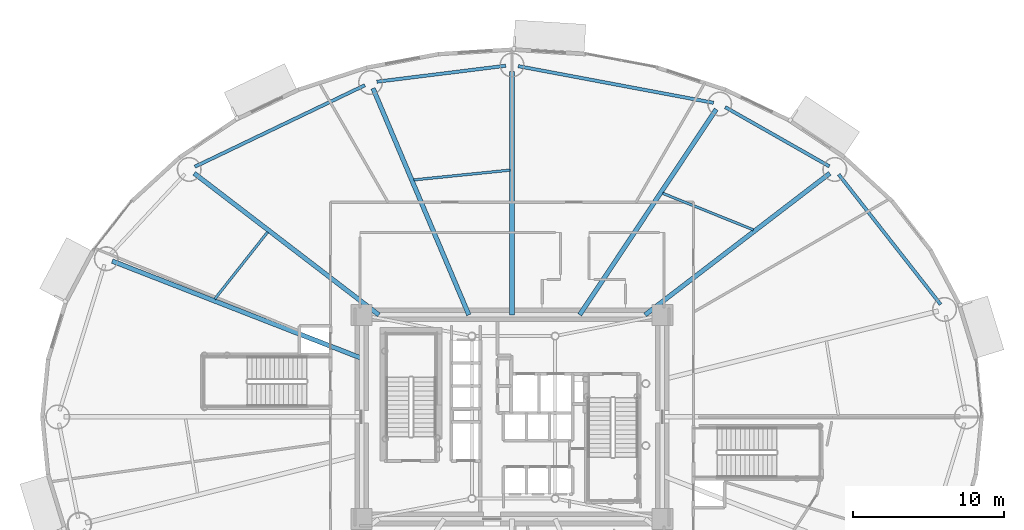
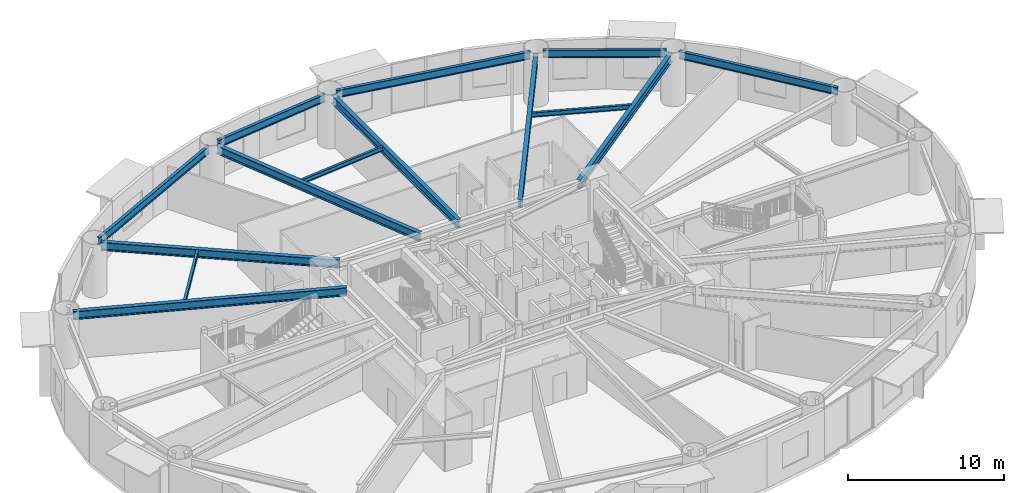
# One storey, part 10 of 29: 14 beams.
"""IFC4 building model written with IfcOpenShell, lengths in metres."""

from ifc_helpers import new_model, si_unit, direction, frame, origin, origin_2d, place, context, subcontext, project, spatial, i_section, extrude, material, material_profile, profile_set, type_object, element, save


model = new_model("IFC4")

# Units and contexts
model_context = context("Model", 3, precision=1e-05, world=origin(), true_north=direction((0.0, 1.0)))
body_context = subcontext(model_context, "Body", "Model", "MODEL_VIEW")
ifc_project = project(units=[si_unit("LENGTHUNIT", "METRE"), si_unit("AREAUNIT", "SQUARE_METRE"), si_unit("VOLUMEUNIT", "CUBIC_METRE"), si_unit("PLANEANGLEUNIT", "RADIAN"), si_unit("MASSUNIT", "GRAM", prefix="KILO")], contexts=[model_context])

# Site, building, storey
site_placement = place(None, origin())
site = spatial("IfcSite", under=ifc_project, at=site_placement, CompositionType="ELEMENT")
building_placement = place(site_placement, origin())
building = spatial("IfcBuilding", under=site, at=building_placement, Name="Linh Dai School and Residence Tower", CompositionType="ELEMENT")
storey_placement = place(building_placement, frame((0.0, 0.0, 45.0)))
storey = spatial("IfcBuildingStorey", under=building, at=storey_placement, Name="L10", CompositionType="ELEMENT", Elevation=45.0)

# Beams
ifc_material = material(Name="Structural Steel S355JR", Category="steel")
ifc_material_profile_1 = material_profile(ifc_material, i_section(OverallWidth=0.219970703125, OverallDepth=0.60009765625, WebThickness=0.011962890625, FlangeThickness=0.01904296875, FilletRadius=0.02392578125, at=origin_2d()), Name="IPE 600")
ifc_profile_set_1 = profile_set([ifc_material_profile_1], Name="Structural Steel S355JR")
beam_type_1 = type_object("IfcBeamType", Name="BM-RB60", PredefinedType="BEAM", material=ifc_profile_set_1)
beam_1_placement = place(storey_placement, frame((64.351806640625, 34.439208984375, 3.64990234375), z_axis=(-0.616878670407, 0.787058260866, 0.0), x_axis=(-0.787058260866, -0.616878670407, 0.0)))
element("IfcBeam", 1, at=beam_1_placement, inside=storey, type_object=beam_type_1, Name="L10 Perimeter Elliptical Ring Beam 02", PredefinedType="BEAM", context=body_context, shape_type="SweptSolid", body=[
    extrude(i_section(OverallWidth=0.219970703125, OverallDepth=0.60009765625, WebThickness=0.011962890625, FlangeThickness=0.01904296875, FilletRadius=0.02392578125, at=origin_2d()), origin(), (0.0, 0.0, 1.0), 10.926025390625),
])
beam_2_placement = place(storey_placement, frame((56.987548828125, 43.57666015625, 3.64990234375), z_axis=(-0.869271416992, 0.494335112653, 0.0), x_axis=(-0.494335112653, -0.869271416992, 0.0)))
element("IfcBeam", 2, at=beam_2_placement, inside=storey, type_object=beam_type_1, Name="L10 Perimeter Elliptical Ring Beam 03", PredefinedType="BEAM", context=body_context, shape_type="SweptSolid", body=[
    extrude(i_section(OverallWidth=0.219970703125, OverallDepth=0.60009765625, WebThickness=0.011962890625, FlangeThickness=0.01904296875, FilletRadius=0.02392578125, at=origin_2d()), origin(), (0.0, 0.0, 1.0), 7.91943359375),
])
beam_3_placement = place(storey_placement, frame((49.32568359375, 47.776611328125, 3.64990234375), z_axis=(-0.982808389171, 0.184628465236, 0.0), x_axis=(-0.184628465236, -0.982808389171, 0.0)))
element("IfcBeam", 3, at=beam_3_placement, inside=storey, type_object=beam_type_1, Name="L10 Perimeter Elliptical Ring Beam 04", PredefinedType="BEAM", context=body_context, shape_type="SweptSolid", body=[
    extrude(i_section(OverallWidth=0.219970703125, OverallDepth=0.60009765625, WebThickness=0.011962890625, FlangeThickness=0.01904296875, FilletRadius=0.02392578125, at=origin_2d()), origin(), (0.0, 0.0, 1.0), 13.138671875),
])
beam_4_placement = place(storey_placement, frame((35.583251953125, 50.228271484375, 3.64990234375), z_axis=(-0.99240113372, -0.123044665842, 0.0), x_axis=(0.123044665842, -0.99240113372, 0.0)))
element("IfcBeam", 4, at=beam_4_placement, inside=storey, type_object=beam_type_1, Name="L10 Perimeter Elliptical Ring Beam 05", PredefinedType="BEAM", context=body_context, shape_type="SweptSolid", body=[
    extrude(i_section(OverallWidth=0.219970703125, OverallDepth=0.60009765625, WebThickness=0.011962890625, FlangeThickness=0.01904296875, FilletRadius=0.02392578125, at=origin_2d()), origin(), (0.0, 0.0, 1.0), 8.58935546875),
])
beam_5_placement = place(storey_placement, frame((26.263427734375, 48.938232421875, 3.64990234375), z_axis=(-0.901728693485, -0.432302398034, 0.0), x_axis=(0.432302398034, -0.901728693485, 0.0)))
element("IfcBeam", 5, at=beam_5_placement, inside=storey, type_object=beam_type_1, Name="L10 Perimeter Elliptical Ring Beam 06", PredefinedType="BEAM", context=body_context, shape_type="SweptSolid", body=[
    extrude(i_section(OverallWidth=0.219970703125, OverallDepth=0.60009765625, WebThickness=0.011962890625, FlangeThickness=0.01904296875, FilletRadius=0.02392578125, at=origin_2d()), origin(), (0.0, 0.0, 1.0), 12.462158203125),
])
ifc_material_profile_2 = material_profile(ifc_material, i_section(OverallWidth=0.300048828125, OverallDepth=0.64990234375, WebThickness=0.01611328125, FlangeThickness=0.031005859375, FilletRadius=0.027099609375, at=origin_2d()), Name="HEB 650")
ifc_profile_set_2 = profile_set([ifc_material_profile_2], Name="Structural Steel S355JR")
beam_type_2 = type_object("IfcBeamType", Name="BM-RG65", PredefinedType="BEAM", material=ifc_profile_set_2)
beam_6_placement = place(storey_placement, frame((44.804931640625, 33.75, 3.625), z_axis=(0.793637764155, 0.608390581212, 0.0), x_axis=(-0.608390581212, 0.793637764155, 0.0)))
element("IfcBeam", 6, at=beam_6_placement, inside=storey, type_object=beam_type_2, Name="L10 Primary Radial Floor Girder 03", PredefinedType="BEAM", context=body_context, shape_type="SweptSolid", body=[
    extrude(i_section(OverallWidth=0.300048828125, OverallDepth=0.64990234375, WebThickness=0.01611328125, FlangeThickness=0.031005859375, FilletRadius=0.027099609375, at=origin_2d()), origin(), (0.0, 0.0, 1.0), 15.390625),
])
beam_7_placement = place(storey_placement, frame((40.47998046875, 33.75, 3.625), z_axis=(0.55300421354, 0.833178456158, 0.0), x_axis=(-0.833178456158, 0.55300421354, 0.0)))
element("IfcBeam", 7, at=beam_7_placement, inside=storey, type_object=beam_type_2, Name="L10 Primary Radial Floor Girder 04", PredefinedType="BEAM", context=body_context, shape_type="SweptSolid", body=[
    extrude(i_section(OverallWidth=0.300048828125, OverallDepth=0.64990234375, WebThickness=0.01611328125, FlangeThickness=0.031005859375, FilletRadius=0.027099609375, at=origin_2d()), origin(), (0.0, 0.0, 1.0), 16.322021484375),
])
beam_8_placement = place(storey_placement, frame((36.0, 33.75, 3.625), z_axis=(0.0, 1.0, 0.0), x_axis=(-1.0, 0.0, 0.0)))
element("IfcBeam", 8, at=beam_8_placement, inside=storey, type_object=beam_type_2, Name="L10 Primary Radial Floor Girder 05", PredefinedType="BEAM", context=body_context, shape_type="SweptSolid", body=[
    extrude(i_section(OverallWidth=0.300048828125, OverallDepth=0.64990234375, WebThickness=0.01611328125, FlangeThickness=0.031005859375, FilletRadius=0.027099609375, at=origin_2d()), origin(), (0.0, 0.0, 1.0), 16.110107421875),
])
beam_9_placement = place(storey_placement, frame((33.14453125, 33.75, 3.625), z_axis=(-0.38962432485, 0.920973878829, 0.0), x_axis=(-0.920973878829, -0.38962432485, 0.0)))
element("IfcBeam", 9, at=beam_9_placement, inside=storey, type_object=beam_type_2, Name="L10 Primary Radial Floor Girder 06", PredefinedType="BEAM", context=body_context, shape_type="SweptSolid", body=[
    extrude(i_section(OverallWidth=0.300048828125, OverallDepth=0.64990234375, WebThickness=0.01611328125, FlangeThickness=0.031005859375, FilletRadius=0.027099609375, at=origin_2d()), origin(), (0.0, 0.0, 1.0), 16.2685546875),
])
beam_10_placement = place(storey_placement, frame((27.195068359375, 33.75, 3.625), z_axis=(-0.793637764155, 0.608390581212, 0.0), x_axis=(-0.608390581212, -0.793637764155, 0.0)))
element("IfcBeam", 10, at=beam_10_placement, inside=storey, type_object=beam_type_2, Name="L10 Primary Radial Floor Girder 07", PredefinedType="BEAM", context=body_context, shape_type="SweptSolid", body=[
    extrude(i_section(OverallWidth=0.300048828125, OverallDepth=0.64990234375, WebThickness=0.01611328125, FlangeThickness=0.031005859375, FilletRadius=0.027099609375, at=origin_2d()), origin(), (0.0, 0.0, 1.0), 15.390625),
])
beam_11_placement = place(storey_placement, frame((26.050048828125, 30.879638671875, 3.625), z_axis=(-0.93167509369, 0.363292609061, 0.0), x_axis=(-0.363292609061, -0.93167509369, 0.0)))
element("IfcBeam", 11, at=beam_11_placement, inside=storey, type_object=beam_type_2, Name="L10 Primary Radial Floor Girder 08", PredefinedType="BEAM", context=body_context, shape_type="SweptSolid", body=[
    extrude(i_section(OverallWidth=0.300048828125, OverallDepth=0.64990234375, WebThickness=0.01611328125, FlangeThickness=0.031005859375, FilletRadius=0.027099609375, at=origin_2d()), origin(), (0.0, 0.0, 1.0), 17.703857421875),
])
ifc_material_profile_3 = material_profile(ifc_material, i_section(OverallWidth=0.169921875, OverallDepth=0.360107421875, WebThickness=0.008056640625, FlangeThickness=0.0126953125, FilletRadius=0.01806640625, at=origin_2d()), Name="IPE 360")
ifc_profile_set_3 = profile_set([ifc_material_profile_3], Name="Structural Steel S355JR")
beam_type_3 = type_object("IfcBeamType", Name="BM-SB36", PredefinedType="BEAM", material=ifc_profile_set_3)
beam_12_placement = place(storey_placement, frame((51.962158203125, 39.377685546875, 3.77001953125), z_axis=(-0.927532778422, 0.3737418159, 0.0), x_axis=(-0.3737418159, -0.927532778422, 0.0)))
element("IfcBeam", 12, at=beam_12_placement, inside=storey, type_object=beam_type_3, Name="L10 Secondary Circumferential Floor Beam 02", PredefinedType="BEAM", context=body_context, shape_type="SweptSolid", body=[
    extrude(i_section(OverallWidth=0.169921875, OverallDepth=0.360107421875, WebThickness=0.008056640625, FlangeThickness=0.0126953125, FilletRadius=0.01806640625, at=origin_2d()), origin(), (0.0, 0.0, 1.0), 6.459716796875),
])
beam_13_placement = place(storey_placement, frame((35.87060546875, 43.32421875, 3.77001953125), z_axis=(-0.994886521003, -0.100999061019, 0.0), x_axis=(0.100999061019, -0.994886521003, 0.0)))
element("IfcBeam", 13, at=beam_13_placement, inside=storey, type_object=beam_type_3, Name="L10 Secondary Circumferential Floor Beam 03", PredefinedType="BEAM", context=body_context, shape_type="SweptSolid", body=[
    extrude(i_section(OverallWidth=0.169921875, OverallDepth=0.360107421875, WebThickness=0.008056640625, FlangeThickness=0.0126953125, FilletRadius=0.01806640625, at=origin_2d()), origin(), (0.0, 0.0, 1.0), 6.40087890625),
])
beam_14_placement = place(storey_placement, frame((19.836669921875, 39.22705078125, 3.77001953125), z_axis=(-0.620205247605, -0.78443957756, 0.0), x_axis=(0.78443957756, -0.620205247605, 0.0)))
element("IfcBeam", 14, at=beam_14_placement, inside=storey, type_object=beam_type_3, Name="L10 Secondary Circumferential Floor Beam 04", PredefinedType="BEAM", context=body_context, shape_type="SweptSolid", body=[
    extrude(i_section(OverallWidth=0.169921875, OverallDepth=0.360107421875, WebThickness=0.008056640625, FlangeThickness=0.0126953125, FilletRadius=0.01806640625, at=origin_2d()), origin(), (0.0, 0.0, 1.0), 5.642822265625),
])

save(model, "model.ifc")
